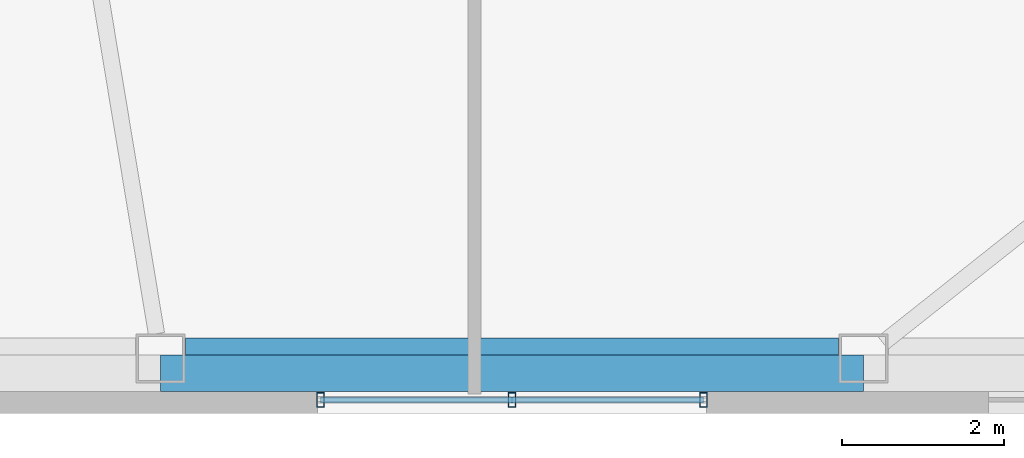
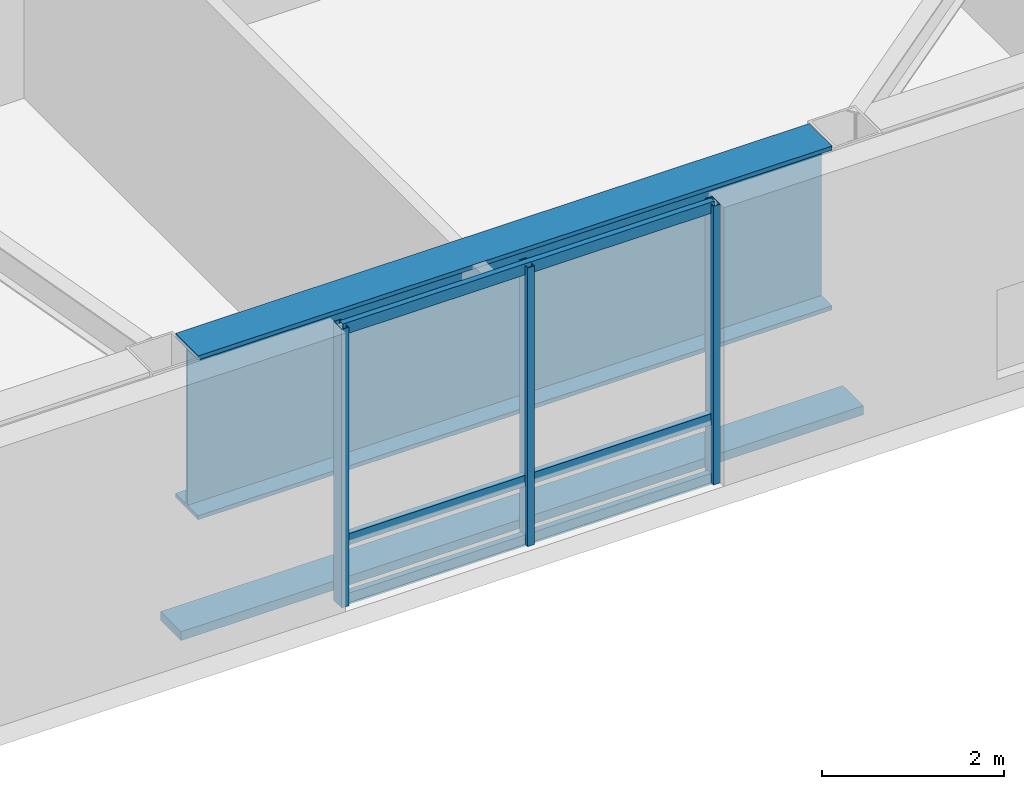
# One storey, part 4 of 19: 7 members, 1 beam, 1 element without a shape of its own.
"""IFC4 building model written with IfcOpenShell, lengths in metres."""

from ifc_helpers import new_model, si_unit, direction, frame, origin, origin_2d, place, context, subcontext, project, spatial, rectangle, hollow_rectangle, i_section, extrude, material, layer, layer_set, material_profile, profile_set, type_object, element, aggregate, save


model = new_model("IFC4")

# Units and contexts
model_context = context("Model", 3, precision=1e-05, world=origin(), true_north=direction((0.0, 1.0)))
body_context = subcontext(model_context, "Body", "Model", "MODEL_VIEW")
ifc_project = project(units=[si_unit("LENGTHUNIT", "METRE"), si_unit("AREAUNIT", "SQUARE_METRE"), si_unit("VOLUMEUNIT", "CUBIC_METRE"), si_unit("PLANEANGLEUNIT", "RADIAN"), si_unit("MASSUNIT", "GRAM", prefix="KILO")], contexts=[model_context])

# Site, building, storey
site_placement = place(None, origin())
site = spatial("IfcSite", under=ifc_project, at=site_placement, CompositionType="ELEMENT")
building_placement = place(site_placement, origin())
building = spatial("IfcBuilding", under=site, at=building_placement, Name="Tavrogorsk Clinical Tower", CompositionType="ELEMENT")
storey_placement = place(building_placement, frame((0.0, 0.0, 172.199951171875)))
storey = spatial("IfcBuildingStorey", under=building, at=storey_placement, Name="L39", CompositionType="ELEMENT", Elevation=172.199951171875)

# Member
ifc_material_1 = material(Name="Anodised aluminium alloy AW-6063", Category="aluminium")
ifc_material_profile_1 = material_profile(ifc_material_1, rectangle(XDim=0.449951171875, YDim=0.1201171875, at=origin_2d()), Name="ALU-SUNSHADE-450x120")
ifc_profile_set_1 = profile_set([ifc_material_profile_1], Name="Anodised aluminium alloy AW-6063")
member_type_1 = type_object("IfcMemberType", Name="ChicagoSunshade_450x120", PredefinedType="USERDEFINED", material=ifc_profile_set_1)
member_1_placement = place(storey_placement, frame((6.7314453125, -20.60009765625, 0.179931640625), z_axis=(1.0, 0.0, 0.0), x_axis=(0.0, 1.0, 0.0)))
element("IfcMember", 1, at=member_1_placement, inside=storey, type_object=member_type_1, Name="L39 South Aluminium Sunshade S5", ObjectType="SUNSHADE", PredefinedType="USERDEFINED", context=body_context, shape_type="SweptSolid", body=[
    extrude(rectangle(XDim=0.449951171875, YDim=0.1201171875, at=origin_2d()), origin(), (0.0, 0.0, 1.0), 8.662841796875),
])

# Curtain wall, members
ifc_material_2 = material(Name="Anodised aluminium and triple IGU glazing", Category="aluminium")
ifc_layer = layer(ifc_material_2, 0.179931640625)
ifc_layer_set = layer_set([ifc_layer], Name="Anodised aluminium and triple IGU glazing")
curtain_wall_type = type_object("IfcCurtainWallType", Name="CW3_SouthSlot", PredefinedType="NOTDEFINED", material=ifc_layer_set)
curtain_wall_placement = place(storey_placement, origin())
curtain_wall = element("IfcCurtainWall", 2, at=curtain_wall_placement, inside=storey, type_object=curtain_wall_type, Name="L39 Curtain Wall CW-L39-S-SLOT-2", PredefinedType="NOTDEFINED")
ifc_material_3 = material(Name="Anodised aluminium alloy AW-6060", Category="aluminium")
ifc_material_profile_2 = material_profile(ifc_material_3, hollow_rectangle(XDim=0.090087890625, YDim=0.179931640625, WallThickness=0.00634765625, at=origin_2d()), Name="RHS-180x90x6.3")
ifc_profile_set_2 = profile_set([ifc_material_profile_2], Name="Anodised aluminium alloy AW-6060")
member_type_2 = type_object("IfcMemberType", Name="CwMullion_180x90", PredefinedType="MULLION", material=ifc_profile_set_2)
member_2_placement = place(storey_placement, frame((8.703857421875, -20.929931640625, 0.0), z_axis=(0.0, 0.0, 1.0), x_axis=(1.0, 0.0, 0.0)))
member_2 = element("IfcMember", 3, at=member_2_placement, type_object=member_type_2, Name="CW-L39-S-SLOT-2 Mullion 1", PredefinedType="MULLION", context=body_context, shape_type="SweptSolid", body=[
    extrude(hollow_rectangle(XDim=0.090087890625, YDim=0.179931640625, WallThickness=0.00634765625, at=origin_2d()), origin(), (0.0, 0.0, 1.0), 3.739990234375),
])
member_3_placement = place(storey_placement, frame((11.062744140625, -20.929931640625, 0.0), z_axis=(0.0, 0.0, 1.0), x_axis=(1.0, 0.0, 0.0)))
member_3 = element("IfcMember", 4, at=member_3_placement, type_object=member_type_2, Name="CW-L39-S-SLOT-2 Mullion 2", PredefinedType="MULLION", context=body_context, shape_type="SweptSolid", body=[
    extrude(hollow_rectangle(XDim=0.090087890625, YDim=0.179931640625, WallThickness=0.00634765625, at=origin_2d()), origin(), (0.0, 0.0, 1.0), 3.739990234375),
])
member_4_placement = place(storey_placement, frame((13.421875, -20.929931640625, 0.0), z_axis=(0.0, 0.0, 1.0), x_axis=(1.0, 0.0, 0.0)))
member_4 = element("IfcMember", 5, at=member_4_placement, type_object=member_type_2, Name="CW-L39-S-SLOT-2 Mullion 3", PredefinedType="MULLION", context=body_context, shape_type="SweptSolid", body=[
    extrude(hollow_rectangle(XDim=0.090087890625, YDim=0.179931640625, WallThickness=0.00634765625, at=origin_2d()), origin(), (0.0, 0.0, 1.0), 3.739990234375),
])
ifc_material_4 = material(Name="Anodised aluminium alloy AW-6060", Category="aluminium")
ifc_material_profile_3 = material_profile(ifc_material_4, hollow_rectangle(XDim=0.074951171875, YDim=0.14990234375, WallThickness=0.0048828125, at=origin_2d()), Name="RHS-150x75x5")
ifc_profile_set_3 = profile_set([ifc_material_profile_3], Name="Anodised aluminium alloy AW-6060")
member_type_3 = type_object("IfcMemberType", Name="CwTransom_150x75", PredefinedType="USERDEFINED", material=ifc_profile_set_3)
member_5_placement = place(storey_placement, frame((8.703857421875, -20.929931640625, 0.050048828125), z_axis=(1.0, 0.0, 0.0), x_axis=(0.0, 1.0, 0.0)))
member_5 = element("IfcMember", 6, at=member_5_placement, type_object=member_type_3, Name="CW-L39-S-SLOT-2 Transom 1", ObjectType="TRANSOM", PredefinedType="USERDEFINED", context=body_context, shape_type="SweptSolid", body=[
    extrude(hollow_rectangle(XDim=0.074951171875, YDim=0.14990234375, WallThickness=0.0048828125, at=origin_2d()), origin(), (0.0, 0.0, 1.0), 4.718017578125),
])
member_6_placement = place(storey_placement, frame((8.703857421875, -20.929931640625, 0.85009765625), z_axis=(1.0, 0.0, 0.0), x_axis=(0.0, 1.0, 0.0)))
member_6 = element("IfcMember", 7, at=member_6_placement, type_object=member_type_3, Name="CW-L39-S-SLOT-2 Transom 2", ObjectType="TRANSOM", PredefinedType="USERDEFINED", context=body_context, shape_type="SweptSolid", body=[
    extrude(hollow_rectangle(XDim=0.074951171875, YDim=0.14990234375, WallThickness=0.0048828125, at=origin_2d()), origin(), (0.0, 0.0, 1.0), 4.718017578125),
])
member_7_placement = place(storey_placement, frame((8.703857421875, -20.929931640625, 3.68994140625), z_axis=(1.0, 0.0, 0.0), x_axis=(0.0, 1.0, 0.0)))
member_7 = element("IfcMember", 8, at=member_7_placement, type_object=member_type_3, Name="CW-L39-S-SLOT-2 Transom 3", ObjectType="TRANSOM", PredefinedType="USERDEFINED", context=body_context, shape_type="SweptSolid", body=[
    extrude(hollow_rectangle(XDim=0.074951171875, YDim=0.14990234375, WallThickness=0.0048828125, at=origin_2d()), origin(), (0.0, 0.0, 1.0), 4.718017578125),
])
aggregate(curtain_wall, [member_2, member_3, member_4, member_5, member_6, member_7])

# Beam
ifc_material_5 = material(Name="Structural steel S440", Category="steel")
ifc_material_profile_4 = material_profile(ifc_material_5, i_section(OverallWidth=0.5, OverallDepth=2.199951171875, WebThickness=0.035888671875, FlangeThickness=0.054931640625, at=origin_2d()), Name="DK-2200x500x36x55")
ifc_profile_set_4 = profile_set([ifc_material_profile_4], Name="Structural steel S440")
beam_type = type_object("IfcBeamType", Name="TransferGirder_DK2200", PredefinedType="USERDEFINED", material=ifc_profile_set_4)
beam_placement = place(storey_placement, frame((7.039306640625, -20.419921875, 2.64013671875), z_axis=(1.0, 0.0, 0.0), x_axis=(0.0, 1.0, 0.0)))
element("IfcBeam", 9, at=beam_placement, inside=storey, type_object=beam_type, Name="L39 Perimeter Spandrel S5-S6", ObjectType="GIRDER", PredefinedType="USERDEFINED", context=body_context, shape_type="SweptSolid", body=[
    extrude(i_section(OverallWidth=0.5, OverallDepth=2.199951171875, WebThickness=0.035888671875, FlangeThickness=0.054931640625, at=origin_2d()), origin(), (0.0, 0.0, 1.0), 8.046875),
])

save(model, "model.ifc")
